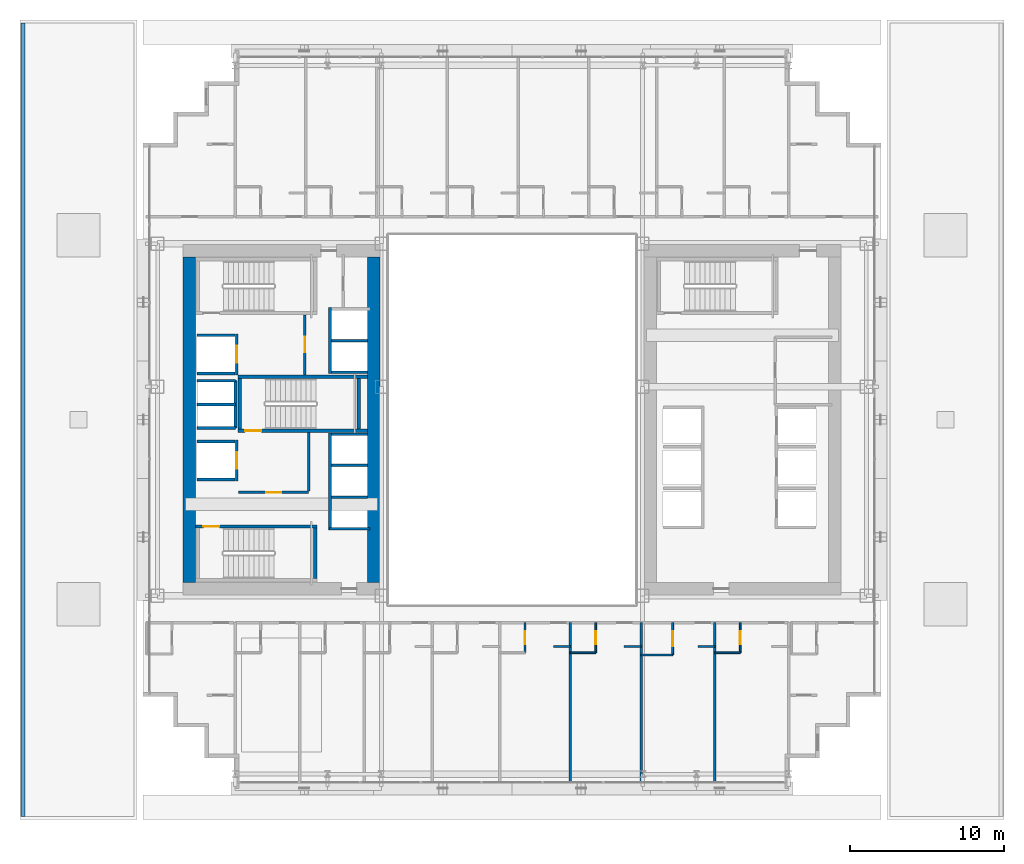
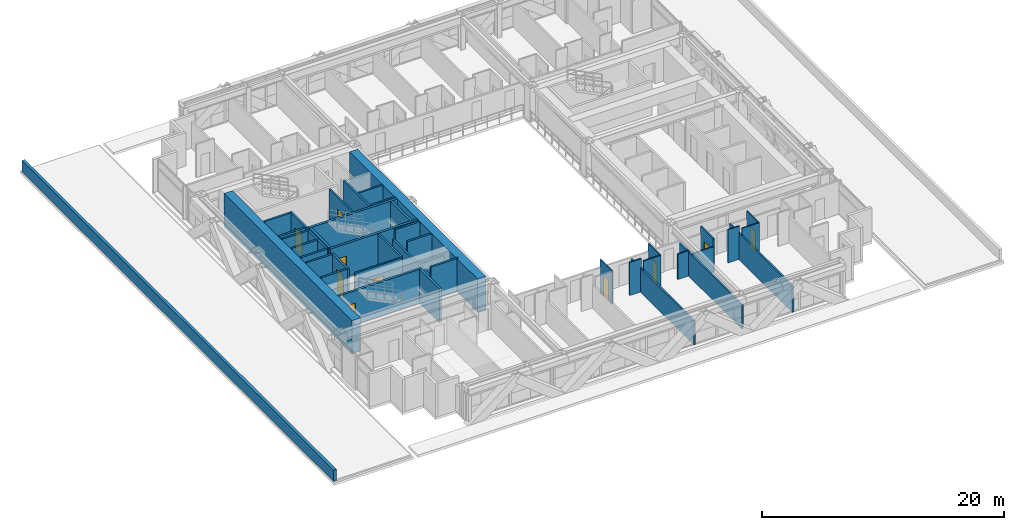
# One storey, part 27 of 35: 43 walls, 10 doors, 10 openings.
"""IFC4 building model written with IfcOpenShell, lengths in metres."""

from ifc_helpers import new_model, si_unit, direction, frame, frame_2d, origin, place, context, subcontext, project, spatial, rectangle, extrude, source, transform, mapped, material, layer, layer_set, type_object, element, fill, save


model = new_model("IFC4")

# Units and contexts
model_context = context("Model", 3, precision=1e-05, world=origin(), true_north=direction((0.0, 1.0)))
body_context = subcontext(model_context, "Body", "Model", "MODEL_VIEW")
ifc_project = project(units=[si_unit("LENGTHUNIT", "METRE"), si_unit("AREAUNIT", "SQUARE_METRE"), si_unit("VOLUMEUNIT", "CUBIC_METRE"), si_unit("PLANEANGLEUNIT", "RADIAN"), si_unit("MASSUNIT", "GRAM", prefix="KILO")], contexts=[model_context])

# Site, building, storey
site_placement = place(None, origin())
site = spatial("IfcSite", under=ifc_project, at=site_placement, CompositionType="ELEMENT")
building_placement = place(site_placement, origin())
building = spatial("IfcBuilding", under=site, at=building_placement, Name="Ocotamira Hotel", CompositionType="ELEMENT")
storey_placement = place(building_placement, frame((0.0, 0.0, 34.800048828125)))
storey = spatial("IfcBuildingStorey", under=building, at=storey_placement, Name="L07", CompositionType="ELEMENT", Elevation=34.800048828125)

# Walls
ifc_material_1 = material(Name="Concrete C60/75", Category="concrete")
ifc_layer_1 = layer(ifc_material_1, 0.800048828125)
ifc_layer_set_1 = layer_set([ifc_layer_1], Name="Concrete C60/75")
wall_type_1 = type_object("IfcWallType", Name="WL-CORE-800", PredefinedType="SHEAR", material=ifc_layer_set_1)
for number, where, z_axis, x_axis, name in (
    (1, (11.0, 15.39990234375, 0.0), (0.0, 0.0, 1.0), (0.0, 1.0, 0.0), "L07 Shear Core Wall WCORE-W"),
    (2, (23.0, 15.39990234375, 0.0), (0.0, 0.0, 1.0), (0.0, 1.0, 0.0), "L07 Shear Core Wall WCORE-E"),
):
    element("IfcWall", number, at=place(storey_placement, frame(where, z_axis=z_axis, x_axis=x_axis)), inside=storey, type_object=wall_type_1, Name=name, PredefinedType="SHEAR", context=body_context, shape_type="SweptSolid", body=[
        extrude(rectangle(XDim=21.2001953125, YDim=0.800048828125, at=frame_2d((10.60009765625, 0.0))), origin(), (0.0, 0.0, 1.0), 3.349853515625),
    ])

# Wall, opening, door
ifc_material_2 = material(Name="Acoustic double-layer fire gypsum board partition", Category="gypsum")
ifc_layer_2 = layer(ifc_material_2, 0.159912109375)
ifc_layer_set_2 = layer_set([ifc_layer_2], Name="Acoustic double-layer fire gypsum board partition")
wall_type_2 = type_object("IfcWallType", Name="WL-FIRE-160", PredefinedType="PARTITIONING", material=ifc_layer_set_2)
wall_1_placement = place(storey_placement, frame((14.199951171875, 21.27001953125, 0.0), z_axis=(0.0, 0.0, 1.0), x_axis=(1.0, 0.0, 0.0)))
wall_1 = element("IfcWall", 3, at=wall_1_placement, inside=storey, type_object=wall_type_2, Name="L07 Interior Wall PW-L07-FSAE1-S", PredefinedType="PARTITIONING", context=body_context, shape_type="SweptSolid", body=[
    extrude(rectangle(XDim=4.580078125, YDim=0.159912109375, at=frame_2d((2.2900390625, 0.0))), origin(), (0.0, 0.0, 1.0), 3.349853515625),
])
opening_1_placement = place(wall_1_placement, frame((1.800048828125, 0.0, 0.0)))
opening_1 = element("IfcOpeningElement", 4, at=opening_1_placement, cuts=wall_1, Name="Opening D-FR2", PredefinedType="OPENING", context=body_context, shape_type="SweptSolid", body=[
    extrude(rectangle(XDim=1.0, YDim=2.14990234375, at=frame_2d((0.5, 1.074951171875))), frame((0.0, 0.08984375, 0.0), z_axis=(0.0, -1.0, 0.0), x_axis=(1.0, 0.0, 0.0)), (0.0, 0.0, 1.0), 0.179931640625),
])
ifc_material_3 = material(Name="Fire-rated acoustic timber-veneer door", Category="wood")
door_type_1 = type_object("IfcDoorType", Name="DR-FIRE-1000", OperationType="NOTDEFINED", PredefinedType="DOOR", material=ifc_material_3)
shared_shape_1 = source(origin(), body_context, "Body", "SweptSolid", [
    extrude(rectangle(XDim=1.0, YDim=2.14990234375, at=frame_2d((0.5, 1.074951171875))), frame((0.0, 0.02490234375, 0.0), z_axis=(0.0, -1.0, 0.0), x_axis=(1.0, 0.0, 0.0)), (0.0, 0.0, 1.0), 0.050048828125),
])
door_1_placement = place(opening_1_placement, origin())
door_1 = element("IfcDoor", 5, at=door_1_placement, inside=storey, type_object=door_type_1, Name="L07 Door ID-L07-FSAE1-D [ID-L07-FSAE1-D]", OperationType="SINGLE_SWING_LEFT", OverallHeight=2.14990234375, OverallWidth=1.0, PredefinedType="DOOR", context=body_context, shape_type="MappedRepresentation", body=[
    mapped(shared_shape_1, transform((0.0, 0.0, 0.0), scale=1.0)),
])
fill(opening_1, door_1)

# Wall
wall_2_placement = place(storey_placement, frame((18.780029296875, 21.35009765625, 0.0), z_axis=(0.0, 0.0, 1.0), x_axis=(0.0, 1.0, 0.0)))
element("IfcWall", 6, at=wall_2_placement, inside=storey, type_object=wall_type_2, Name="L07 Interior Wall PW-L07-FSAE1-E", PredefinedType="PARTITIONING", context=body_context, shape_type="SweptSolid", body=[
    extrude(rectangle(XDim=3.809814453125, YDim=0.159912109375, at=frame_2d((1.90478515625, 0.0))), origin(), (0.0, 0.0, 1.0), 3.349853515625),
])

# Wall, opening, door
wall_3_placement = place(storey_placement, frame((18.530029296875, 28.89990234375, 0.0), z_axis=(0.0, 0.0, 1.0), x_axis=(0.0, 1.0, 0.0)))
wall_3 = element("IfcWall", 7, at=wall_3_placement, inside=storey, type_object=wall_type_2, Name="L07 Interior Wall PW-L07-FSAE2-E", PredefinedType="PARTITIONING", context=body_context, shape_type="SweptSolid", body=[
    extrude(rectangle(XDim=3.900146484375, YDim=0.159912109375, at=frame_2d((1.9501953125, 0.0))), origin(), (0.0, 0.0, 1.0), 3.349853515625),
])
opening_2_placement = place(wall_3_placement, frame((1.5, 0.0, 0.0)))
opening_2 = element("IfcOpeningElement", 8, at=opening_2_placement, cuts=wall_3, Name="Opening D-FR2", PredefinedType="OPENING", context=body_context, shape_type="SweptSolid", body=[
    extrude(rectangle(XDim=1.0, YDim=2.14990234375, at=frame_2d((0.5, 1.074951171875))), frame((0.0, 0.08984375, 0.0), z_axis=(0.0, -1.0, 0.0), x_axis=(1.0, 0.0, 0.0)), (0.0, 0.0, 1.0), 0.179931640625),
])
door_2_placement = place(opening_2_placement, origin())
door_2 = element("IfcDoor", 9, at=door_2_placement, inside=storey, type_object=door_type_1, Name="L07 Door ID-L07-FSAE2-D [ID-L07-FSAE2-D]", OperationType="SINGLE_SWING_RIGHT", OverallHeight=2.14990234375, OverallWidth=1.0, PredefinedType="DOOR", context=body_context, shape_type="MappedRepresentation", body=[
    mapped(shared_shape_1, transform((0.0, 0.0, 0.0), scale=1.0)),
])
fill(opening_2, door_2)

# Wall
ifc_material_4 = material(Name="Precast concrete C45/55", Category="concrete")
ifc_layer_3 = layer(ifc_material_4, 0.260009765625)
ifc_layer_set_3 = layer_set([ifc_layer_3], Name="Precast concrete C45/55")
wall_type_3 = type_object("IfcWallType", Name="WL-PARA-260", PredefinedType="PARAPET", material=ifc_layer_set_3)
wall_4_placement = place(storey_placement, frame((0.199951171875, 0.199951171875, 0.0), z_axis=(0.0, 0.0, 1.0), x_axis=(0.0, 1.0, 0.0)))
element("IfcWall", 10, at=wall_4_placement, inside=storey, type_object=wall_type_3, Name="L07 Roof Parapet Wall PODW", PredefinedType="PARAPET", context=body_context, shape_type="SweptSolid", body=[
    extrude(rectangle(XDim=51.60009765625, YDim=0.260009765625, at=frame_2d((25.800048828125, 0.0))), origin(), (0.0, 0.0, 1.0), 1.14990234375),
])

# Wall, opening, door
ifc_material_5 = material(Name="Moisture-resistant en-suite tile and gypsum partition", Category="gypsum")
ifc_layer_4 = layer(ifc_material_5, 0.1201171875)
ifc_layer_set_4 = layer_set([ifc_layer_4], Name="Moisture-resistant en-suite tile and gypsum partition")
wall_type_4 = type_object("IfcWallType", Name="WL-PART-120", PredefinedType="PARTITIONING", material=ifc_layer_set_4)
wall_5_placement = place(storey_placement, frame((32.85009765625, 10.85009765625, 0.0), z_axis=(0.0, 0.0, 1.0), x_axis=(0.0, 1.0, 0.0)))
wall_5 = element("IfcWall", 11, at=wall_5_placement, inside=storey, type_object=wall_type_4, Name="L07 Interior Wall PW-L07-Z1AS-BAE5", PredefinedType="PARTITIONING", context=body_context, shape_type="SweptSolid", body=[
    extrude(rectangle(XDim=1.949951171875, YDim=0.1201171875, at=frame_2d((0.97509765625, 0.0))), origin(), (0.0, 0.0, 1.0), 3.349853515625),
])
opening_3_placement = place(wall_5_placement, frame((0.544921875, 0.0, 0.0)))
opening_3 = element("IfcOpeningElement", 12, at=opening_3_placement, cuts=wall_5, Name="Opening D-BA1", PredefinedType="OPENING", context=body_context, shape_type="SweptSolid", body=[
    extrude(rectangle(XDim=0.860107421875, YDim=2.10009765625, at=frame_2d((0.43017578125, 1.050048828125))), frame((0.0, 0.070068359375, 0.0), z_axis=(0.0, -1.0, 0.0), x_axis=(1.0, 0.0, 0.0)), (0.0, 0.0, 1.0), 0.14013671875),
])
ifc_material_6 = material(Name="Moisture-sealed en-suite timber door", Category="wood")
door_type_2 = type_object("IfcDoorType", Name="DR-BATH-860", OperationType="NOTDEFINED", PredefinedType="DOOR", material=ifc_material_6)
shared_shape_2 = source(origin(), body_context, "Body", "SweptSolid", [
    extrude(rectangle(XDim=0.860107421875, YDim=2.10009765625, at=frame_2d((0.43017578125, 1.050048828125))), frame((0.0, 0.02490234375, 0.0), z_axis=(0.0, -1.0, 0.0), x_axis=(1.0, 0.0, 0.0)), (0.0, 0.0, 1.0), 0.050048828125),
])
door_3_placement = place(opening_3_placement, origin())
door_3 = element("IfcDoor", 13, at=door_3_placement, inside=storey, type_object=door_type_2, Name="L07 Door ID-L07-Z1AS-BAD5 [ID-L07-Z1AS-BAD5]", OperationType="SINGLE_SWING_RIGHT", OverallHeight=2.10009765625, OverallWidth=0.860107421875, PredefinedType="DOOR", context=body_context, shape_type="MappedRepresentation", body=[
    mapped(shared_shape_2, transform((0.0, 0.0, 0.0), scale=1.0)),
])
fill(opening_3, door_3)

# Wall
wall_6_placement = place(storey_placement, frame((34.699951171875, 11.25, 0.0), z_axis=(0.0, 0.0, 1.0), x_axis=(1.0, 0.0, 0.0)))
element("IfcWall", 14, at=wall_6_placement, inside=storey, type_object=wall_type_4, Name="L07 Interior Wall PW-L07-Z1AS-DRN5", PredefinedType="PARTITIONING", context=body_context, shape_type="SweptSolid", body=[
    extrude(rectangle(XDim=1.10009765625, YDim=0.1201171875, at=frame_2d((0.550048828125, 0.0))), origin(), (0.0, 0.0, 1.0), 3.349853515625),
])

# Wall, opening, door
wall_7_placement = place(storey_placement, frame((37.449951171875, 10.85009765625, 0.0), z_axis=(0.0, 0.0, 1.0), x_axis=(0.0, 1.0, 0.0)))
wall_7 = element("IfcWall", 15, at=wall_7_placement, inside=storey, type_object=wall_type_4, Name="L07 Interior Wall PW-L07-Z1AS-BAE6", PredefinedType="PARTITIONING", context=body_context, shape_type="SweptSolid", body=[
    extrude(rectangle(XDim=1.949951171875, YDim=0.1201171875, at=frame_2d((0.97509765625, 0.0))), origin(), (0.0, 0.0, 1.0), 3.349853515625),
])
opening_4_placement = place(wall_7_placement, frame((0.544921875, 0.0, 0.0)))
opening_4 = element("IfcOpeningElement", 16, at=opening_4_placement, cuts=wall_7, Name="Opening D-BA1", PredefinedType="OPENING", context=body_context, shape_type="SweptSolid", body=[
    extrude(rectangle(XDim=0.860107421875, YDim=2.10009765625, at=frame_2d((0.43017578125, 1.050048828125))), frame((0.0, 0.070068359375, 0.0), z_axis=(0.0, -1.0, 0.0), x_axis=(1.0, 0.0, 0.0)), (0.0, 0.0, 1.0), 0.14013671875),
])
door_4_placement = place(opening_4_placement, origin())
door_4 = element("IfcDoor", 17, at=door_4_placement, inside=storey, type_object=door_type_2, Name="L07 Door ID-L07-Z1AS-BAD6 [ID-L07-Z1AS-BAD6]", OperationType="SINGLE_SWING_LEFT", OverallHeight=2.10009765625, OverallWidth=0.860107421875, PredefinedType="DOOR", context=body_context, shape_type="MappedRepresentation", body=[
    mapped(shared_shape_2, transform((0.0, 0.0, 0.0), scale=1.0)),
])
fill(opening_4, door_4)

# Walls
wall_8_placement = place(storey_placement, frame((35.800048828125, 10.85009765625, 0.0), z_axis=(0.0, 0.0, 1.0), x_axis=(1.0, 0.0, 0.0)))
element("IfcWall", 18, at=wall_8_placement, inside=storey, type_object=wall_type_4, Name="L07 Interior Wall PW-L07-Z1AS-BAS6", PredefinedType="PARTITIONING", context=body_context, shape_type="SweptSolid", body=[
    extrude(rectangle(XDim=1.64990234375, YDim=0.1201171875, at=frame_2d((0.824951171875, 0.0))), origin(), (0.0, 0.0, 1.0), 3.349853515625),
])
wall_9_placement = place(storey_placement, frame((39.300048828125, 11.25, 0.0), z_axis=(0.0, 0.0, 1.0), x_axis=(1.0, 0.0, 0.0)))
element("IfcWall", 19, at=wall_9_placement, inside=storey, type_object=wall_type_4, Name="L07 Interior Wall PW-L07-Z1AS-DRN6", PredefinedType="PARTITIONING", context=body_context, shape_type="SweptSolid", body=[
    extrude(rectangle(XDim=1.099853515625, YDim=0.1201171875, at=frame_2d((0.5498046875, 0.0))), origin(), (0.0, 0.0, 1.0), 2.571044921875),
])

# Wall, opening, door
wall_10_placement = place(storey_placement, frame((42.449951171875, 10.699951171875, 0.0), z_axis=(0.0, 0.0, 1.0), x_axis=(0.0, 1.0, 0.0)))
wall_10 = element("IfcWall", 20, at=wall_10_placement, inside=storey, type_object=wall_type_4, Name="L07 Interior Wall PW-L07-Z1AS-BAE7", PredefinedType="PARTITIONING", context=body_context, shape_type="SweptSolid", body=[
    extrude(rectangle(XDim=2.10009765625, YDim=0.1201171875, at=frame_2d((1.050048828125, 0.0))), origin(), (0.0, 0.0, 1.0), 3.349853515625),
])
opening_5_placement = place(wall_10_placement, frame((0.570068359375, 0.0, 0.0)))
opening_5 = element("IfcOpeningElement", 21, at=opening_5_placement, cuts=wall_10, Name="Opening D-IN1", PredefinedType="OPENING", context=body_context, shape_type="SweptSolid", body=[
    extrude(rectangle(XDim=0.9599609375, YDim=2.14990234375, at=frame_2d((0.47998046875, 1.074951171875))), frame((0.0, 0.070068359375, 0.0), z_axis=(0.0, -1.0, 0.0), x_axis=(1.0, 0.0, 0.0)), (0.0, 0.0, 1.0), 0.14013671875),
])
ifc_material_7 = material(Name="Accessible walnut interior room door", Category="wood")
door_type_3 = type_object("IfcDoorType", Name="DR-INT-960", OperationType="NOTDEFINED", PredefinedType="DOOR", material=ifc_material_7)
shared_shape_3 = source(origin(), body_context, "Body", "SweptSolid", [
    extrude(rectangle(XDim=0.9599609375, YDim=2.14990234375, at=frame_2d((0.47998046875, 1.074951171875))), frame((0.0, 0.02490234375, 0.0), z_axis=(0.0, -1.0, 0.0), x_axis=(1.0, 0.0, 0.0)), (0.0, 0.0, 1.0), 0.050048828125),
])
door_5_placement = place(opening_5_placement, origin())
door_5 = element("IfcDoor", 22, at=door_5_placement, inside=storey, type_object=door_type_3, Name="L07 Door ID-L07-Z1AS-BAD7 [ID-L07-Z1AS-BAD7]", OperationType="SINGLE_SWING_RIGHT", OverallHeight=2.14990234375, OverallWidth=0.9599609375, PredefinedType="DOOR", context=body_context, shape_type="MappedRepresentation", body=[
    mapped(shared_shape_3, transform((0.0, 0.0, 0.0), scale=1.0)),
])
fill(opening_5, door_5)

# Walls
wall_11_placement = place(storey_placement, frame((40.39990234375, 10.699951171875, 0.0), z_axis=(0.0, 0.0, 1.0), x_axis=(1.0, 0.0, 0.0)))
element("IfcWall", 23, at=wall_11_placement, inside=storey, type_object=wall_type_4, Name="L07 Interior Wall PW-L07-Z1AS-BAS7", PredefinedType="PARTITIONING", context=body_context, shape_type="SweptSolid", body=[
    extrude(rectangle(XDim=2.050048828125, YDim=0.1201171875, at=frame_2d((1.02490234375, 0.0))), origin(), (0.0, 0.0, 1.0), 2.571044921875),
])
wall_12_placement = place(storey_placement, frame((44.10009765625, 11.25, 0.0), z_axis=(0.0, 0.0, 1.0), x_axis=(1.0, 0.0, 0.0)))
element("IfcWall", 24, at=wall_12_placement, inside=storey, type_object=wall_type_4, Name="L07 Interior Wall PW-L07-Z1AS-DRN7", PredefinedType="PARTITIONING", context=body_context, shape_type="SweptSolid", body=[
    extrude(rectangle(XDim=1.099853515625, YDim=0.1201171875, at=frame_2d((0.5498046875, 0.0))), origin(), (0.0, 0.0, 1.0), 3.349853515625),
])

# Wall, opening, door
wall_13_placement = place(storey_placement, frame((46.85009765625, 10.85009765625, 0.0), z_axis=(0.0, 0.0, 1.0), x_axis=(0.0, 1.0, 0.0)))
wall_13 = element("IfcWall", 25, at=wall_13_placement, inside=storey, type_object=wall_type_4, Name="L07 Interior Wall PW-L07-Z1AS-BAE8", PredefinedType="PARTITIONING", context=body_context, shape_type="SweptSolid", body=[
    extrude(rectangle(XDim=1.949951171875, YDim=0.1201171875, at=frame_2d((0.97509765625, 0.0))), origin(), (0.0, 0.0, 1.0), 3.349853515625),
])
opening_6_placement = place(wall_13_placement, frame((0.544921875, 0.0, 0.0)))
opening_6 = element("IfcOpeningElement", 26, at=opening_6_placement, cuts=wall_13, Name="Opening D-BA1", PredefinedType="OPENING", context=body_context, shape_type="SweptSolid", body=[
    extrude(rectangle(XDim=0.860107421875, YDim=2.10009765625, at=frame_2d((0.43017578125, 1.050048828125))), frame((0.0, 0.070068359375, 0.0), z_axis=(0.0, -1.0, 0.0), x_axis=(1.0, 0.0, 0.0)), (0.0, 0.0, 1.0), 0.14013671875),
])
door_6_placement = place(opening_6_placement, origin())
door_6 = element("IfcDoor", 27, at=door_6_placement, inside=storey, type_object=door_type_2, Name="L07 Door ID-L07-Z1AS-BAD8 [ID-L07-Z1AS-BAD8]", OperationType="SINGLE_SWING_LEFT", OverallHeight=2.10009765625, OverallWidth=0.860107421875, PredefinedType="DOOR", context=body_context, shape_type="MappedRepresentation", body=[
    mapped(shared_shape_2, transform((0.0, 0.0, 0.0), scale=1.0)),
])
fill(opening_6, door_6)

# Walls
wall_14_placement = place(storey_placement, frame((45.199951171875, 10.85009765625, 0.0), z_axis=(0.0, 0.0, 1.0), x_axis=(1.0, 0.0, 0.0)))
element("IfcWall", 28, at=wall_14_placement, inside=storey, type_object=wall_type_4, Name="L07 Interior Wall PW-L07-Z1AS-BAS8", PredefinedType="PARTITIONING", context=body_context, shape_type="SweptSolid", body=[
    extrude(rectangle(XDim=1.650146484375, YDim=0.1201171875, at=frame_2d((0.8251953125, 0.0))), origin(), (0.0, 0.0, 1.0), 3.349853515625),
])
ifc_material_8 = material(Name="Acoustic double-stud hospitality gypsum partition", Category="gypsum")
ifc_layer_5 = layer(ifc_material_8, 0.159912109375)
ifc_layer_set_5 = layer_set([ifc_layer_5], Name="Acoustic double-stud hospitality gypsum partition")
wall_type_5 = type_object("IfcWallType", Name="WL-PART-160", PredefinedType="PARTITIONING", material=ifc_layer_set_5)
for number, where, z_axis, x_axis, name in (
    (29, (35.800048828125, 2.360107421875, 0.0), (0.0, 0.0, 1.0), (0.0, 1.0, 0.0), "L07 Interior Wall PW-L07-Z1AS-PW5"),
    (30, (40.39990234375, 2.360107421875, 0.0), (0.0, 0.0, 1.0), (0.0, 1.0, 0.0), "L07 Interior Wall PW-L07-Z1AS-PW6"),
):
    element("IfcWall", number, at=place(storey_placement, frame(where, z_axis=z_axis, x_axis=x_axis)), inside=storey, type_object=wall_type_5, Name=name, PredefinedType="PARTITIONING", context=body_context, shape_type="SweptSolid", body=[
        extrude(rectangle(XDim=10.43994140625, YDim=0.159912109375, at=frame_2d((5.219970703125, 0.0))), origin(), (0.0, 0.0, 1.0), 2.4228515625),
    ])
wall_15_placement = place(storey_placement, frame((45.199951171875, 2.360107421875, 0.0), z_axis=(0.0, 0.0, 1.0), x_axis=(0.0, 1.0, 0.0)))
element("IfcWall", 31, at=wall_15_placement, inside=storey, type_object=wall_type_5, Name="L07 Interior Wall PW-L07-Z1AS-PW7", PredefinedType="PARTITIONING", context=body_context, shape_type="SweptSolid", body=[
    extrude(rectangle(XDim=10.43994140625, YDim=0.159912109375, at=frame_2d((5.219970703125, 0.0))), origin(), (0.0, 0.0, 1.0), 2.656982421875),
])
ifc_material_9 = material(Name="Fire-rated gypsum shaftliner board assembly", Category="gypsum")
ifc_layer_6 = layer(ifc_material_9, 0.179931640625)
ifc_layer_set_6 = layer_set([ifc_layer_6], Name="Fire-rated gypsum shaftliner board assembly")
wall_type_6 = type_object("IfcWallType", Name="WL-SHAFT-180", PredefinedType="SOLIDWALL", material=ifc_layer_set_6)
wall_16_placement = place(storey_placement, frame((20.159912109375, 18.820068359375, 0.0), z_axis=(0.0, 0.0, 1.0), x_axis=(0.0, 1.0, 0.0)))
element("IfcWall", 32, at=wall_16_placement, inside=storey, type_object=wall_type_6, Name="L07 Interior Wall PW-L07-LFW-BANK-high-F", PredefinedType="SOLIDWALL", context=body_context, shape_type="SweptSolid", body=[
    extrude(rectangle(XDim=6.31982421875, YDim=0.179931640625, at=frame_2d((3.159912109375, 0.0))), origin(), (0.0, 0.0, 1.0), 2.35986328125),
])
wall_17_placement = place(storey_placement, frame((20.1201171875, 18.909912109375, 0.0), z_axis=(0.0, 0.0, 1.0), x_axis=(1.0, 0.0, 0.0)))
element("IfcWall", 33, at=wall_17_placement, inside=storey, type_object=wall_type_6, Name="L07 Interior Wall PW-L07-LFW-BANK-high-S", PredefinedType="SOLIDWALL", context=body_context, shape_type="SweptSolid", body=[
    extrude(rectangle(XDim=2.6298828125, YDim=0.179931640625, at=frame_2d((1.31494140625, 0.0))), origin(), (0.0, 0.0, 1.0), 3.349853515625),
])
wall_18_placement = place(storey_placement, frame((20.25, 25.050048828125, 0.0), z_axis=(0.0, 0.0, 1.0), x_axis=(1.0, 0.0, 0.0)))
element("IfcWall", 34, at=wall_18_placement, inside=storey, type_object=wall_type_6, Name="L07 Interior Wall PW-L07-LFW-BANK-high-N", PredefinedType="SOLIDWALL", context=body_context, shape_type="SweptSolid", body=[
    extrude(rectangle(XDim=2.360107421875, YDim=0.179931640625, at=frame_2d((1.18017578125, 0.0))), origin(), (0.0, 0.0, 1.0), 3.349853515625),
])
wall_19_placement = place(storey_placement, frame((20.25, 20.965087890625, 0.0), z_axis=(0.0, 0.0, 1.0), x_axis=(1.0, 0.0, 0.0)))
element("IfcWall", 35, at=wall_19_placement, inside=storey, type_object=wall_type_6, Name="L07 Interior Wall PW-L07-LFW-DIV-LF-P7", PredefinedType="SOLIDWALL", context=body_context, shape_type="SweptSolid", body=[
    extrude(rectangle(XDim=2.360107421875, YDim=0.179931640625, at=frame_2d((1.18017578125, 0.0))), origin(), (0.0, 0.0, 1.0), 2.35986328125),
])
wall_20_placement = place(storey_placement, frame((20.25, 23.044921875, 0.0), z_axis=(0.0, 0.0, 1.0), x_axis=(1.0, 0.0, 0.0)))
element("IfcWall", 36, at=wall_20_placement, inside=storey, type_object=wall_type_6, Name="L07 Interior Wall PW-L07-LFW-DIV-LF-P8", PredefinedType="SOLIDWALL", context=body_context, shape_type="SweptSolid", body=[
    extrude(rectangle(XDim=2.360107421875, YDim=0.179931640625, at=frame_2d((1.18017578125, 0.0))), origin(), (0.0, 0.0, 1.0), 3.349853515625),
])
wall_21_placement = place(storey_placement, frame((20.159912109375, 29.0, 0.0), z_axis=(0.0, 0.0, 1.0), x_axis=(0.0, 1.0, 0.0)))
element("IfcWall", 37, at=wall_21_placement, inside=storey, type_object=wall_type_6, Name="L07 Interior Wall PW-L07-LFW-BANK-obs-F", PredefinedType="SOLIDWALL", context=body_context, shape_type="SweptSolid", body=[
    extrude(rectangle(XDim=4.2900390625, YDim=0.179931640625, at=frame_2d((2.14501953125, 0.0))), origin(), (0.0, 0.0, 1.0), 3.349853515625),
])
for number, where, z_axis, x_axis, name in (
    (38, (20.25, 29.090087890625, 0.0), (0.0, 0.0, 1.0), (1.0, 0.0, 0.0), "L07 Interior Wall PW-L07-LFW-BANK-obs-S"),
    (39, (20.25, 31.14501953125, 0.0), (0.0, 0.0, 1.0), (1.0, 0.0, 0.0), "L07 Interior Wall PW-L07-LFW-DIV-LF-OBS1"),
):
    element("IfcWall", number, at=place(storey_placement, frame(where, z_axis=z_axis, x_axis=x_axis)), inside=storey, type_object=wall_type_6, Name=name, PredefinedType="SOLIDWALL", context=body_context, shape_type="SweptSolid", body=[
        extrude(rectangle(XDim=2.360107421875, YDim=0.179931640625, at=frame_2d((1.18017578125, 0.0))), origin(), (0.0, 0.0, 1.0), 3.349853515625),
    ])
for number, where, z_axis, x_axis, name in (
    (40, (11.5, 22.110107421875, 0.0), (0.0, 0.0, 1.0), (1.0, 0.0, 0.0), "L07 Interior Wall PW-L07-LFW-LF-FSAE1-S"),
    (41, (11.5, 24.590087890625, 0.0), (0.0, 0.0, 1.0), (1.0, 0.0, 0.0), "L07 Interior Wall PW-L07-LFW-LF-FSAE1-N"),
):
    element("IfcWall", number, at=place(storey_placement, frame(where, z_axis=z_axis, x_axis=x_axis)), inside=storey, type_object=wall_type_6, Name=name, PredefinedType="SOLIDWALL", context=body_context, shape_type="SweptSolid", body=[
        extrude(rectangle(XDim=2.5, YDim=0.179931640625, at=frame_2d((1.25, 0.0))), origin(), (0.0, 0.0, 1.0), 3.349853515625),
    ])

# Wall, opening, door
wall_22_placement = place(storey_placement, frame((14.090087890625, 22.02001953125, 0.0), z_axis=(0.0, 0.0, 1.0), x_axis=(0.0, 1.0, 0.0)))
wall_22 = element("IfcWall", 42, at=wall_22_placement, inside=storey, type_object=wall_type_6, Name="L07 Interior Wall PW-L07-LFW-LF-FSAE1-E", PredefinedType="SOLIDWALL", context=body_context, shape_type="SweptSolid", body=[
    extrude(rectangle(XDim=2.659912109375, YDim=0.179931640625, at=frame_2d((1.330078125, 0.0))), origin(), (0.0, 0.0, 1.0), 3.349853515625),
])
opening_7_placement = place(wall_22_placement, frame((0.780029296875, 0.0, 0.0)))
opening_7 = element("IfcOpeningElement", 43, at=opening_7_placement, cuts=wall_22, Name="Opening LD-LF-FSAE1", PredefinedType="OPENING", context=body_context, shape_type="SweptSolid", body=[
    extrude(rectangle(XDim=1.10009765625, YDim=2.199951171875, at=frame_2d((0.550048828125, 1.10009765625))), frame((0.0, 0.10009765625, 0.0), z_axis=(0.0, -1.0, 0.0), x_axis=(1.0, 0.0, 0.0)), (0.0, 0.0, 1.0), 0.199951171875),
])
ifc_material_10 = material(Name="Brushed pale-metal stainless elevator landing door", Category="steel")
door_type_4 = type_object("IfcDoorType", Name="DR-LIFT-1100", OperationType="NOTDEFINED", PredefinedType="DOOR", material=ifc_material_10)
shared_shape_4 = source(origin(), body_context, "Body", "SweptSolid", [
    extrude(rectangle(XDim=1.10009765625, YDim=2.199951171875, at=frame_2d((0.550048828125, 1.10009765625))), frame((0.0, 0.02490234375, 0.0), z_axis=(0.0, -1.0, 0.0), x_axis=(1.0, 0.0, 0.0)), (0.0, 0.0, 1.0), 0.050048828125),
])
door_7_placement = place(opening_7_placement, origin())
door_7 = element("IfcDoor", 44, at=door_7_placement, inside=storey, type_object=door_type_4, Name="L07 Landing Door LD-LF-FSAE1 [ID-L07-LD-LF-FSAE1]", OperationType="DOUBLE_DOOR_SLIDING", OverallHeight=2.199951171875, OverallWidth=1.10009765625, PredefinedType="DOOR", context=body_context, shape_type="MappedRepresentation", body=[
    mapped(shared_shape_4, transform((0.0, 0.0, 0.0), scale=1.0)),
])
fill(opening_7, door_7)

# Walls
for number, where, z_axis, x_axis, name in (
    (45, (11.5, 29.010009765625, 0.0), (0.0, 0.0, 1.0), (1.0, 0.0, 0.0), "L07 Interior Wall PW-L07-LFW-LF-FSAE2-S"),
    (46, (11.5, 31.489990234375, 0.0), (0.0, 0.0, 1.0), (1.0, 0.0, 0.0), "L07 Interior Wall PW-L07-LFW-LF-FSAE2-N"),
):
    element("IfcWall", number, at=place(storey_placement, frame(where, z_axis=z_axis, x_axis=x_axis)), inside=storey, type_object=wall_type_6, Name=name, PredefinedType="SOLIDWALL", context=body_context, shape_type="SweptSolid", body=[
        extrude(rectangle(XDim=2.5, YDim=0.179931640625, at=frame_2d((1.25, 0.0))), origin(), (0.0, 0.0, 1.0), 3.349853515625),
    ])

# Wall, opening, door
wall_23_placement = place(storey_placement, frame((14.090087890625, 28.919921875, 0.0), z_axis=(0.0, 0.0, 1.0), x_axis=(0.0, 1.0, 0.0)))
wall_23 = element("IfcWall", 47, at=wall_23_placement, inside=storey, type_object=wall_type_6, Name="L07 Interior Wall PW-L07-LFW-LF-FSAE2-E", PredefinedType="SOLIDWALL", context=body_context, shape_type="SweptSolid", body=[
    extrude(rectangle(XDim=2.66015625, YDim=0.179931640625, at=frame_2d((1.330078125, 0.0))), origin(), (0.0, 0.0, 1.0), 3.349853515625),
])
opening_8_placement = place(wall_23_placement, frame((0.780029296875, 0.0, 0.0)))
opening_8 = element("IfcOpeningElement", 48, at=opening_8_placement, cuts=wall_23, Name="Opening LD-LF-FSAE2", PredefinedType="OPENING", context=body_context, shape_type="SweptSolid", body=[
    extrude(rectangle(XDim=1.10009765625, YDim=2.199951171875, at=frame_2d((0.550048828125, 1.10009765625))), frame((0.0, 0.10009765625, 0.0), z_axis=(0.0, -1.0, 0.0), x_axis=(1.0, 0.0, 0.0)), (0.0, 0.0, 1.0), 0.199951171875),
])
door_8_placement = place(opening_8_placement, origin())
door_8 = element("IfcDoor", 49, at=door_8_placement, inside=storey, type_object=door_type_4, Name="L07 Landing Door LD-LF-FSAE2 [ID-L07-LD-LF-FSAE2]", OperationType="DOUBLE_DOOR_SLIDING", OverallHeight=2.199951171875, OverallWidth=1.10009765625, PredefinedType="DOOR", context=body_context, shape_type="MappedRepresentation", body=[
    mapped(shared_shape_4, transform((0.0, 0.0, 0.0), scale=1.0)),
])
fill(opening_8, door_8)

# Walls
for number, where, z_axis, x_axis, name in (
    (50, (11.5, 25.4599609375, 0.0), (0.0, 0.0, 1.0), (1.0, 0.0, 0.0), "L07 Interior Wall PW-L07-RSW-S"),
    (51, (11.5, 27.0, 0.0), (0.0, 0.0, 1.0), (1.0, 0.0, 0.0), "L07 Interior Wall PW-L07-RSW-MID"),
    (52, (11.5, 28.5400390625, 0.0), (0.0, 0.0, 1.0), (1.0, 0.0, 0.0), "L07 Interior Wall PW-L07-RSW-N"),
):
    element("IfcWall", number, at=place(storey_placement, frame(where, z_axis=z_axis, x_axis=x_axis)), inside=storey, type_object=wall_type_6, Name=name, PredefinedType="SOLIDWALL", context=body_context, shape_type="SweptSolid", body=[
        extrude(rectangle(XDim=2.510009765625, YDim=0.179931640625, at=frame_2d((1.2548828125, 0.0))), origin(), (0.0, 0.0, 1.0), 3.349853515625),
    ])
wall_24_placement = place(storey_placement, frame((14.010009765625, 25.4599609375, 0.0), z_axis=(0.0, 0.0, 1.0), x_axis=(0.0, 1.0, 0.0)))
element("IfcWall", 53, at=wall_24_placement, inside=storey, type_object=wall_type_6, Name="L07 Interior Wall PW-L07-RSW-E", PredefinedType="SOLIDWALL", context=body_context, shape_type="SweptSolid", body=[
    extrude(rectangle(XDim=3.080078125, YDim=0.179931640625, at=frame_2d((1.5400390625, 0.0))), origin(), (0.0, 0.0, 1.0), 3.349853515625),
])

# Wall, opening, door
ifc_material_11 = material(Name="Concrete C50/60", Category="concrete")
ifc_layer_7 = layer(ifc_material_11, 0.219970703125)
ifc_layer_set_7 = layer_set([ifc_layer_7], Name="Concrete C50/60")
wall_type_7 = type_object("IfcWallType", Name="WL-STAIR-220", PredefinedType="SHEAR", material=ifc_layer_set_7)
wall_25_placement = place(storey_placement, frame((11.39990234375, 19.06005859375, 0.0), z_axis=(0.0, 0.0, 1.0), x_axis=(1.0, 0.0, 0.0)))
wall_25 = element("IfcWall", 54, at=wall_25_placement, inside=storey, type_object=wall_type_7, Name="L07 Stair Shaft Structural Wall ST-1-N", PredefinedType="SHEAR", context=body_context, shape_type="SweptSolid", body=[
    extrude(rectangle(XDim=7.91015625, YDim=0.219970703125, at=frame_2d((3.955078125, 0.0))), origin(), (0.0, 0.0, 1.0), 3.39990234375),
])
opening_9_placement = place(wall_25_placement, frame((0.52001953125, 0.0, 0.0)))
opening_9 = element("IfcOpeningElement", 55, at=opening_9_placement, cuts=wall_25, Name="Opening D-ST2", PredefinedType="OPENING", context=body_context, shape_type="SweptSolid", body=[
    extrude(rectangle(XDim=1.050048828125, YDim=2.14990234375, at=frame_2d((0.52490234375, 1.074951171875))), frame((0.0, 0.1201171875, 0.0), z_axis=(0.0, -1.0, 0.0), x_axis=(1.0, 0.0, 0.0)), (0.0, 0.0, 1.0), 0.239990234375),
])
ifc_material_12 = material(Name="Insulated painted hollow-metal fire exit door", Category="steel")
door_type_5 = type_object("IfcDoorType", Name="DR-STAIR-1050", OperationType="NOTDEFINED", PredefinedType="DOOR", material=ifc_material_12)
shared_shape_5 = source(origin(), body_context, "Body", "SweptSolid", [
    extrude(rectangle(XDim=1.050048828125, YDim=2.14990234375, at=frame_2d((0.52490234375, 1.074951171875))), frame((0.0, 0.02490234375, 0.0), z_axis=(0.0, -1.0, 0.0), x_axis=(1.0, 0.0, 0.0)), (0.0, 0.0, 1.0), 0.050048828125),
])
door_9_placement = place(opening_9_placement, origin())
door_9 = element("IfcDoor", 56, at=door_9_placement, inside=storey, type_object=door_type_5, Name="L07 Door ID-L07-STD-ST-1 [ID-L07-STD-ST-1]", OperationType="SINGLE_SWING_RIGHT", OverallHeight=2.14990234375, OverallWidth=1.050048828125, PredefinedType="DOOR", context=body_context, shape_type="MappedRepresentation", body=[
    mapped(shared_shape_5, transform((0.0, 0.0, 0.0), scale=1.0)),
])
fill(opening_9, door_9)

# Wall
wall_26_placement = place(storey_placement, frame((19.199951171875, 15.669921875, 0.0), z_axis=(0.0, 0.0, 1.0), x_axis=(0.0, 1.0, 0.0)))
element("IfcWall", 57, at=wall_26_placement, inside=storey, type_object=wall_type_7, Name="L07 Stair Shaft Structural Wall ST-1-E", PredefinedType="SHEAR", context=body_context, shape_type="SweptSolid", body=[
    extrude(rectangle(XDim=3.280029296875, YDim=0.219970703125, at=frame_2d((1.64013671875, 0.0))), origin(), (0.0, 0.0, 1.0), 3.39990234375),
])

# Wall, opening, door
wall_27_placement = place(storey_placement, frame((14.179931640625, 25.2900390625, 0.0), z_axis=(0.0, 0.0, 1.0), x_axis=(1.0, 0.0, 0.0)))
wall_27 = element("IfcWall", 58, at=wall_27_placement, inside=storey, type_object=wall_type_7, Name="L07 Stair Shaft Structural Wall ST-3-S", PredefinedType="SHEAR", context=body_context, shape_type="SweptSolid", body=[
    extrude(rectangle(XDim=8.420166015625, YDim=0.219970703125, at=frame_2d((4.2099609375, 0.0))), origin(), (0.0, 0.0, 1.0), 3.39990234375),
])
opening_10_placement = place(wall_27_placement, frame((0.469970703125, 0.0, 0.0)))
opening_10 = element("IfcOpeningElement", 59, at=opening_10_placement, cuts=wall_27, Name="Opening D-ST2", PredefinedType="OPENING", context=body_context, shape_type="SweptSolid", body=[
    extrude(rectangle(XDim=1.050048828125, YDim=2.14990234375, at=frame_2d((0.52490234375, 1.074951171875))), frame((0.0, 0.1201171875, 0.0), z_axis=(0.0, -1.0, 0.0), x_axis=(1.0, 0.0, 0.0)), (0.0, 0.0, 1.0), 0.239990234375),
])
door_10_placement = place(opening_10_placement, origin())
door_10 = element("IfcDoor", 60, at=door_10_placement, inside=storey, type_object=door_type_5, Name="L07 Door ID-L07-STD-ST-3 [ID-L07-STD-ST-3]", OperationType="SINGLE_SWING_RIGHT", OverallHeight=2.14990234375, OverallWidth=1.050048828125, PredefinedType="DOOR", context=body_context, shape_type="MappedRepresentation", body=[
    mapped(shared_shape_5, transform((0.0, 0.0, 0.0), scale=1.0)),
])
fill(opening_10, door_10)

# Walls
wall_28_placement = place(storey_placement, frame((14.179931640625, 28.7900390625, 0.0), z_axis=(0.0, 0.0, 1.0), x_axis=(1.0, 0.0, 0.0)))
element("IfcWall", 61, at=wall_28_placement, inside=storey, type_object=wall_type_7, Name="L07 Stair Shaft Structural Wall ST-3-N", PredefinedType="SHEAR", context=body_context, shape_type="SweptSolid", body=[
    extrude(rectangle(XDim=8.420166015625, YDim=0.219970703125, at=frame_2d((4.2099609375, 0.0))), origin(), (0.0, 0.0, 1.0), 3.39990234375),
])
for number, where, z_axis, x_axis, name in (
    (62, (14.2900390625, 25.39990234375, 0.0), (0.0, 0.0, 1.0), (0.0, 1.0, 0.0), "L07 Stair Shaft Structural Wall ST-3-W"),
    (63, (22.030029296875, 25.39990234375, 0.0), (0.0, 0.0, 1.0), (0.0, 1.0, 0.0), "L07 Stair Shaft Structural Wall ST-3-E"),
):
    element("IfcWall", number, at=place(storey_placement, frame(where, z_axis=z_axis, x_axis=x_axis)), inside=storey, type_object=wall_type_7, Name=name, PredefinedType="SHEAR", context=body_context, shape_type="SweptSolid", body=[
        extrude(rectangle(XDim=3.280029296875, YDim=0.219970703125, at=frame_2d((1.64013671875, 0.0))), origin(), (0.0, 0.0, 1.0), 3.39990234375),
    ])

save(model, "model.ifc")
